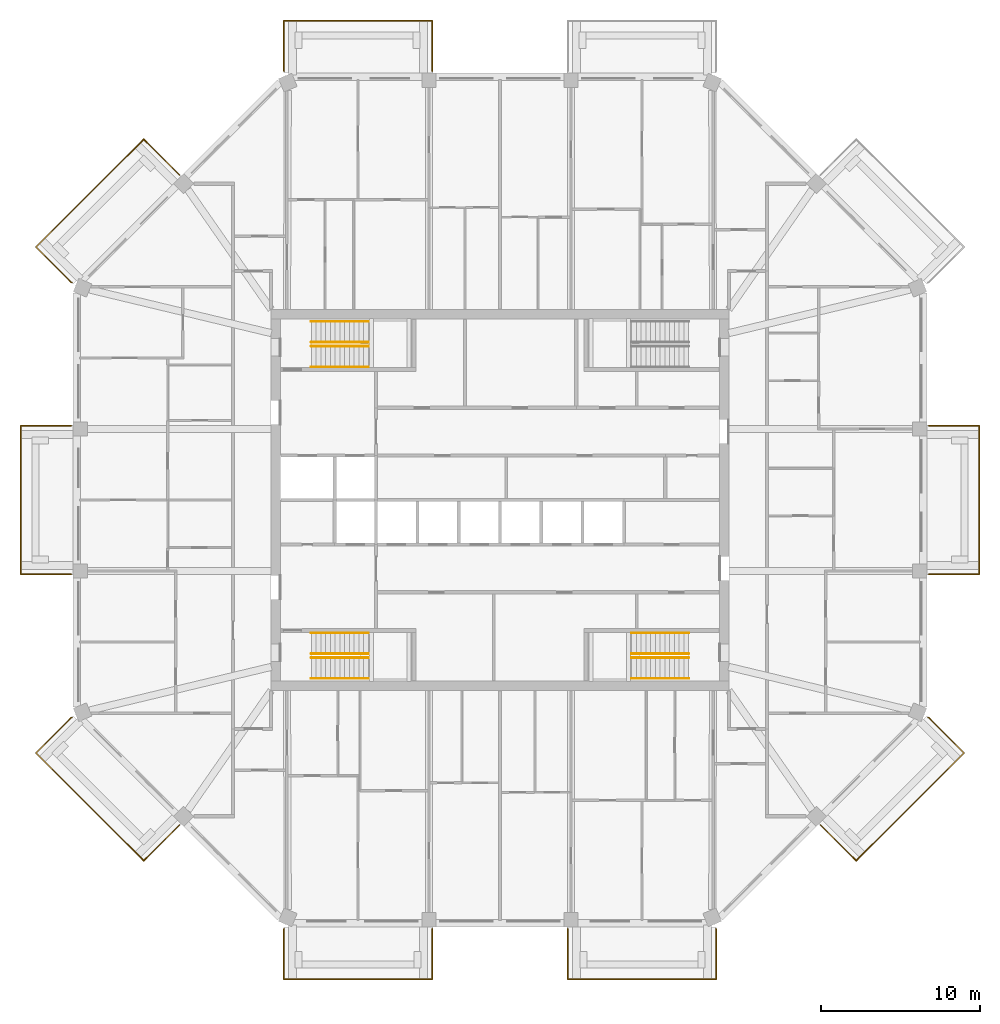
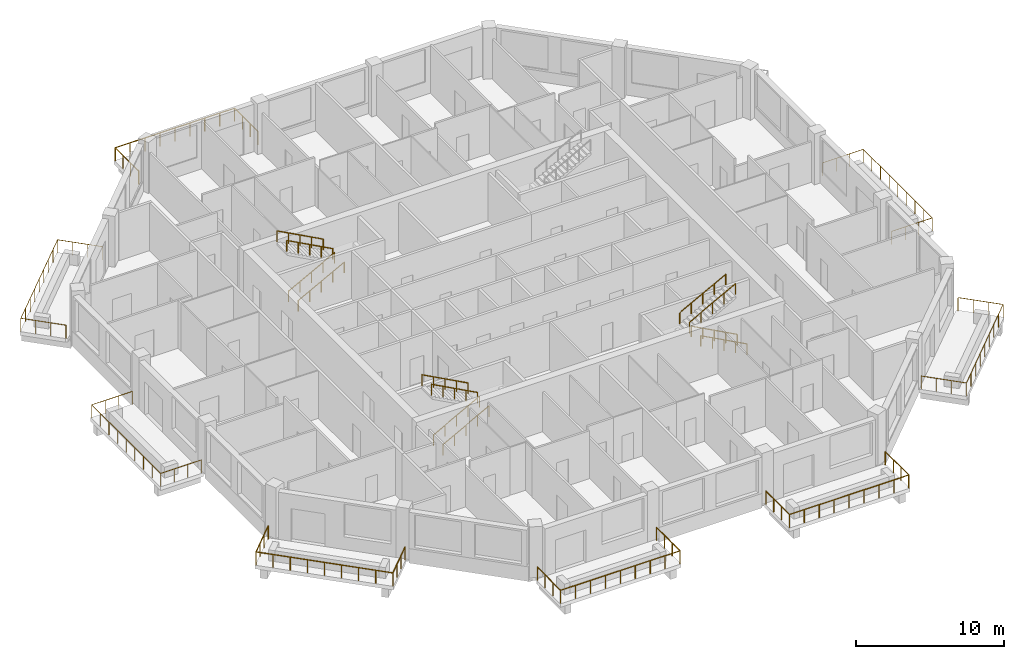
# One storey, part 12 of 13: 20 railings.
"""IFC4 building model written with IfcOpenShell, lengths in metres."""

from ifc_helpers import new_model, si_unit, direction, frame, origin, origin_2d, place, context, subcontext, project, spatial, circle, extrude, material, constituent, constituent_set, type_object, element, save


model = new_model("IFC4")

# Units and contexts
model_context = context("Model", 3, precision=1e-05, world=origin(), true_north=direction((0.0, 1.0)))
body_context = subcontext(model_context, "Body", "Model", "MODEL_VIEW")
ifc_project = project(units=[si_unit("LENGTHUNIT", "METRE"), si_unit("AREAUNIT", "SQUARE_METRE"), si_unit("VOLUMEUNIT", "CUBIC_METRE"), si_unit("PLANEANGLEUNIT", "RADIAN"), si_unit("MASSUNIT", "GRAM", prefix="KILO")], contexts=[model_context])

# Site, building, storey
site_placement = place(None, origin())
site = spatial("IfcSite", under=ifc_project, at=site_placement, CompositionType="ELEMENT")
building_placement = place(site_placement, origin())
building = spatial("IfcBuilding", under=site, at=building_placement, Name="Msitu Wima Residences", CompositionType="ELEMENT")
storey_placement = place(building_placement, frame((0.0, 0.0, 289.5)))
storey = spatial("IfcBuildingStorey", under=building, at=storey_placement, Name="L67", CompositionType="ELEMENT", Elevation=289.5)

# Railings
ifc_material_1 = material(Name="Steel S355", Category="steel")
ifc_constituent_1 = constituent(ifc_material_1, Name="Steel S355")
ifc_material_2 = material(Name="Weathering patina")
ifc_constituent_2 = constituent(ifc_material_2, Name="Weathering patina")
ifc_constituent_set_1 = constituent_set(constituents=[ifc_constituent_1, ifc_constituent_2], Name="Steel S355")
railing_type_1 = type_object("IfcRailingType", Name="Balcony guard GR1100", PredefinedType="GUARDRAIL", material=ifc_constituent_set_1)
railing_1_placement = place(storey_placement, frame((26.97998046875, 4.668701171875, 0.0)))
element("IfcRailing", 1, at=railing_1_placement, inside=storey, type_object=railing_type_1, Name="Balcony guard E1 L67", PredefinedType="GUARDRAIL", context=body_context, shape_type="SweptSolid", body=[
    extrude(circle(Radius=0.02392578125, at=origin_2d()), frame((0.0, 0.0, 1.076171875), z_axis=(1.0, 0.0, 0.0), x_axis=(0.0, 1.0, 0.0)), (0.0, 0.0, 1.0), 3.169921875),
    extrude(circle(Radius=0.02392578125, at=origin_2d()), frame((3.169921875, 0.0, 1.076171875), z_axis=(0.0, -1.0, 0.0), x_axis=(1.0, 0.0, 0.0)), (0.0, 0.0, 1.0), 9.33740234375),
    extrude(circle(Radius=0.02392578125, at=origin_2d()), frame((3.169921875, -9.33740234375, 1.076171875), z_axis=(-1.0, 0.0, 0.0), x_axis=(0.0, -1.0, 0.0)), (0.0, 0.0, 1.0), 3.169921875),
    extrude(circle(Radius=0.02099609375, at=origin_2d()), origin(), (0.0, 0.0, 1.0), 1.052001953125),
    extrude(circle(Radius=0.02099609375, at=origin_2d()), frame((1.056640625, 0.0, 0.0)), (0.0, 0.0, 1.0), 1.052001953125),
    extrude(circle(Radius=0.02099609375, at=origin_2d()), frame((2.11328125, 0.0, 0.0)), (0.0, 0.0, 1.0), 1.052001953125),
    extrude(circle(Radius=0.02099609375, at=origin_2d()), frame((3.169921875, 0.0, 0.0)), (0.0, 0.0, 1.0), 1.052001953125),
    extrude(circle(Radius=0.02099609375, at=origin_2d()), frame((3.169921875, -1.167236328125, 0.0)), (0.0, 0.0, 1.0), 1.052001953125),
    extrude(circle(Radius=0.02099609375, at=origin_2d()), frame((3.169921875, -2.33447265625, 0.0)), (0.0, 0.0, 1.0), 1.052001953125),
    extrude(circle(Radius=0.02099609375, at=origin_2d()), frame((3.169921875, -3.50146484375, 0.0)), (0.0, 0.0, 1.0), 1.052001953125),
    extrude(circle(Radius=0.02099609375, at=origin_2d()), frame((3.169921875, -4.668701171875, 0.0)), (0.0, 0.0, 1.0), 1.052001953125),
    extrude(circle(Radius=0.02099609375, at=origin_2d()), frame((3.169921875, -5.8359375, 0.0)), (0.0, 0.0, 1.0), 1.052001953125),
    extrude(circle(Radius=0.02099609375, at=origin_2d()), frame((3.169921875, -7.0029296875, 0.0)), (0.0, 0.0, 1.0), 1.052001953125),
    extrude(circle(Radius=0.02099609375, at=origin_2d()), frame((3.169921875, -8.170166015625, 0.0)), (0.0, 0.0, 1.0), 1.052001953125),
    extrude(circle(Radius=0.02099609375, at=origin_2d()), frame((3.169921875, -9.33740234375, 0.0)), (0.0, 0.0, 1.0), 1.052001953125),
    extrude(circle(Radius=0.02099609375, at=origin_2d()), frame((2.11328125, -9.33740234375, 0.0)), (0.0, 0.0, 1.0), 1.052001953125),
    extrude(circle(Radius=0.02099609375, at=origin_2d()), frame((1.056640625, -9.33740234375, 0.0)), (0.0, 0.0, 1.0), 1.052001953125),
    extrude(circle(Radius=0.02099609375, at=origin_2d()), frame((0.0, -9.33740234375, 0.0)), (0.0, 0.0, 1.0), 1.052001953125),
])
railing_2_placement = place(storey_placement, frame((-13.592041015625, 26.97998046875, 0.0)))
element("IfcRailing", 2, at=railing_2_placement, inside=storey, type_object=railing_type_1, Name="Balcony guard N2 L67", PredefinedType="GUARDRAIL", context=body_context, shape_type="SweptSolid", body=[
    extrude(circle(Radius=0.02392578125, at=origin_2d()), frame((0.0, 0.0, 1.076171875), z_axis=(-0.384136806859, 0.923276184907, 0.0), x_axis=(-0.923276184907, -0.384136806859, 0.0)), (0.0, 0.0, 1.0), 0.0361328125),
    extrude(circle(Radius=0.02392578125, at=origin_2d()), frame((-0.013916015625, 0.033447265625, 1.076171875), z_axis=(0.0, 1.0, 0.0), x_axis=(-1.0, 0.0, 0.0)), (0.0, 0.0, 1.0), 3.136474609375),
    extrude(circle(Radius=0.02392578125, at=origin_2d()), frame((-0.013916015625, 3.169921875, 1.076171875), z_axis=(1.0, 0.0, 0.0), x_axis=(0.0, 1.0, 0.0)), (0.0, 0.0, 1.0), 9.33740234375),
    extrude(circle(Radius=0.02392578125, at=origin_2d()), frame((9.323486328125, 3.169921875, 1.076171875), z_axis=(0.0, -1.0, 0.0), x_axis=(1.0, 0.0, 0.0)), (0.0, 0.0, 1.0), 3.169921875),
    extrude(circle(Radius=0.02099609375, at=origin_2d()), origin(), (0.0, 0.0, 1.0), 1.052001953125),
    extrude(circle(Radius=0.02099609375, at=origin_2d()), frame((-0.013916015625, 0.033447265625, 0.0)), (0.0, 0.0, 1.0), 1.052001953125),
    extrude(circle(Radius=0.02099609375, at=origin_2d()), frame((-0.013916015625, 1.078857421875, 0.0)), (0.0, 0.0, 1.0), 1.052001953125),
    extrude(circle(Radius=0.02099609375, at=origin_2d()), frame((-0.013916015625, 2.12451171875, 0.0)), (0.0, 0.0, 1.0), 1.052001953125),
    extrude(circle(Radius=0.02099609375, at=origin_2d()), frame((-0.013916015625, 3.169921875, 0.0)), (0.0, 0.0, 1.0), 1.052001953125),
    extrude(circle(Radius=0.02099609375, at=origin_2d()), frame((1.1533203125, 3.169921875, 0.0)), (0.0, 0.0, 1.0), 1.052001953125),
    extrude(circle(Radius=0.02099609375, at=origin_2d()), frame((2.3203125, 3.169921875, 0.0)), (0.0, 0.0, 1.0), 1.052001953125),
    extrude(circle(Radius=0.02099609375, at=origin_2d()), frame((3.487548828125, 3.169921875, 0.0)), (0.0, 0.0, 1.0), 1.052001953125),
    extrude(circle(Radius=0.02099609375, at=origin_2d()), frame((4.65478515625, 3.169921875, 0.0)), (0.0, 0.0, 1.0), 1.052001953125),
    extrude(circle(Radius=0.02099609375, at=origin_2d()), frame((5.822021484375, 3.169921875, 0.0)), (0.0, 0.0, 1.0), 1.052001953125),
    extrude(circle(Radius=0.02099609375, at=origin_2d()), frame((6.9892578125, 3.169921875, 0.0)), (0.0, 0.0, 1.0), 1.052001953125),
    extrude(circle(Radius=0.02099609375, at=origin_2d()), frame((8.15625, 3.169921875, 0.0)), (0.0, 0.0, 1.0), 1.052001953125),
    extrude(circle(Radius=0.02099609375, at=origin_2d()), frame((9.323486328125, 3.169921875, 0.0)), (0.0, 0.0, 1.0), 1.052001953125),
    extrude(circle(Radius=0.02099609375, at=origin_2d()), frame((9.323486328125, 2.11328125, 0.0)), (0.0, 0.0, 1.0), 1.052001953125),
    extrude(circle(Radius=0.02099609375, at=origin_2d()), frame((9.323486328125, 1.056640625, 0.0)), (0.0, 0.0, 1.0), 1.052001953125),
    extrude(circle(Radius=0.02099609375, at=origin_2d()), frame((9.323486328125, 0.0, 0.0)), (0.0, 0.0, 1.0), 1.052001953125),
])
railing_3_placement = place(storey_placement, frame((-26.941650390625, 13.684326171875, 0.0)))
element("IfcRailing", 3, at=railing_3_placement, inside=storey, type_object=railing_type_1, Name="Balcony guard NW1 L67", PredefinedType="GUARDRAIL", context=body_context, shape_type="SweptSolid", body=[
    extrude(circle(Radius=0.02392578125, at=origin_2d()), frame((0.0, 0.0, 1.076171875), z_axis=(-0.92426142649, 0.38176015442, 0.0), x_axis=(-0.38176015442, -0.92426142649, 0.0)), (0.0, 0.0, 1.0), 0.036376953125),
    extrude(circle(Radius=0.02392578125, at=origin_2d()), frame((-0.03369140625, 0.013916015625, 1.076171875), z_axis=(-0.707106781187, 0.707106781187, 0.0), x_axis=(-0.707106781187, -0.707106781187, 0.0)), (0.0, 0.0, 1.0), 3.136474609375),
    extrude(circle(Radius=0.02392578125, at=origin_2d()), frame((-2.25146484375, 2.231689453125, 1.076171875), z_axis=(0.707106781187, 0.707106781187, 0.0), x_axis=(-0.707106781187, 0.707106781187, 0.0)), (0.0, 0.0, 1.0), 9.58837890625),
    extrude(circle(Radius=0.02392578125, at=origin_2d()), frame((4.528564453125, 9.01171875, 1.076171875), z_axis=(0.707106781187, -0.707106781187, 0.0), x_axis=(0.707106781187, 0.707106781187, 0.0)), (0.0, 0.0, 1.0), 3.169921875),
    extrude(circle(Radius=0.02099609375, at=origin_2d()), origin(), (0.0, 0.0, 1.0), 1.052001953125),
    extrude(circle(Radius=0.02099609375, at=origin_2d()), frame((-0.03369140625, 0.013916015625, 0.0)), (0.0, 0.0, 1.0), 1.052001953125),
    extrude(circle(Radius=0.02099609375, at=origin_2d()), frame((-0.77294921875, 0.753173828125, 0.0)), (0.0, 0.0, 1.0), 1.052001953125),
    extrude(circle(Radius=0.02099609375, at=origin_2d()), frame((-1.51220703125, 1.492431640625, 0.0)), (0.0, 0.0, 1.0), 1.052001953125),
    extrude(circle(Radius=0.02099609375, at=origin_2d()), frame((-2.25146484375, 2.231689453125, 0.0)), (0.0, 0.0, 1.0), 1.052001953125),
    extrude(circle(Radius=0.02099609375, at=origin_2d()), frame((-1.404052734375, 3.0791015625, 0.0)), (0.0, 0.0, 1.0), 1.052001953125),
    extrude(circle(Radius=0.02099609375, at=origin_2d()), frame((-0.556396484375, 3.9267578125, 0.0)), (0.0, 0.0, 1.0), 1.052001953125),
    extrude(circle(Radius=0.02099609375, at=origin_2d()), frame((0.291015625, 4.774169921875, 0.0)), (0.0, 0.0, 1.0), 1.052001953125),
    extrude(circle(Radius=0.02099609375, at=origin_2d()), frame((1.138671875, 5.62158203125, 0.0)), (0.0, 0.0, 1.0), 1.052001953125),
    extrude(circle(Radius=0.02099609375, at=origin_2d()), frame((1.986083984375, 6.46923828125, 0.0)), (0.0, 0.0, 1.0), 1.052001953125),
    extrude(circle(Radius=0.02099609375, at=origin_2d()), frame((2.83349609375, 7.316650390625, 0.0)), (0.0, 0.0, 1.0), 1.052001953125),
    extrude(circle(Radius=0.02099609375, at=origin_2d()), frame((3.68115234375, 8.164306640625, 0.0)), (0.0, 0.0, 1.0), 1.052001953125),
    extrude(circle(Radius=0.02099609375, at=origin_2d()), frame((4.528564453125, 9.01171875, 0.0)), (0.0, 0.0, 1.0), 1.052001953125),
    extrude(circle(Radius=0.02099609375, at=origin_2d()), frame((5.275634765625, 8.2646484375, 0.0)), (0.0, 0.0, 1.0), 1.052001953125),
    extrude(circle(Radius=0.02099609375, at=origin_2d()), frame((6.02294921875, 7.517333984375, 0.0)), (0.0, 0.0, 1.0), 1.052001953125),
    extrude(circle(Radius=0.02099609375, at=origin_2d()), frame((6.77001953125, 6.770263671875, 0.0)), (0.0, 0.0, 1.0), 1.052001953125),
])
railing_4_placement = place(storey_placement, frame((-26.97998046875, -4.668701171875, 0.0)))
element("IfcRailing", 4, at=railing_4_placement, inside=storey, type_object=railing_type_1, Name="Balcony guard W1 L67", PredefinedType="GUARDRAIL", context=body_context, shape_type="SweptSolid", body=[
    extrude(circle(Radius=0.02392578125, at=origin_2d()), frame((0.0, 0.0, 1.076171875), z_axis=(-1.0, 0.0, 0.0), x_axis=(0.0, -1.0, 0.0)), (0.0, 0.0, 1.0), 3.169921875),
    extrude(circle(Radius=0.02392578125, at=origin_2d()), frame((-3.169921875, 0.0, 1.076171875), z_axis=(0.0, 1.0, 0.0), x_axis=(-1.0, 0.0, 0.0)), (0.0, 0.0, 1.0), 9.33740234375),
    extrude(circle(Radius=0.02392578125, at=origin_2d()), frame((-3.169921875, 9.33740234375, 1.076171875), z_axis=(1.0, 0.0, 0.0), x_axis=(0.0, 1.0, 0.0)), (0.0, 0.0, 1.0), 3.169921875),
    extrude(circle(Radius=0.02099609375, at=origin_2d()), origin(), (0.0, 0.0, 1.0), 1.052001953125),
    extrude(circle(Radius=0.02099609375, at=origin_2d()), frame((-1.056640625, 0.0, 0.0)), (0.0, 0.0, 1.0), 1.052001953125),
    extrude(circle(Radius=0.02099609375, at=origin_2d()), frame((-2.11328125, 0.0, 0.0)), (0.0, 0.0, 1.0), 1.052001953125),
    extrude(circle(Radius=0.02099609375, at=origin_2d()), frame((-3.169921875, 0.0, 0.0)), (0.0, 0.0, 1.0), 1.052001953125),
    extrude(circle(Radius=0.02099609375, at=origin_2d()), frame((-3.169921875, 1.167236328125, 0.0)), (0.0, 0.0, 1.0), 1.052001953125),
    extrude(circle(Radius=0.02099609375, at=origin_2d()), frame((-3.169921875, 2.33447265625, 0.0)), (0.0, 0.0, 1.0), 1.052001953125),
    extrude(circle(Radius=0.02099609375, at=origin_2d()), frame((-3.169921875, 3.50146484375, 0.0)), (0.0, 0.0, 1.0), 1.052001953125),
    extrude(circle(Radius=0.02099609375, at=origin_2d()), frame((-3.169921875, 4.668701171875, 0.0)), (0.0, 0.0, 1.0), 1.052001953125),
    extrude(circle(Radius=0.02099609375, at=origin_2d()), frame((-3.169921875, 5.8359375, 0.0)), (0.0, 0.0, 1.0), 1.052001953125),
    extrude(circle(Radius=0.02099609375, at=origin_2d()), frame((-3.169921875, 7.0029296875, 0.0)), (0.0, 0.0, 1.0), 1.052001953125),
    extrude(circle(Radius=0.02099609375, at=origin_2d()), frame((-3.169921875, 8.170166015625, 0.0)), (0.0, 0.0, 1.0), 1.052001953125),
    extrude(circle(Radius=0.02099609375, at=origin_2d()), frame((-3.169921875, 9.33740234375, 0.0)), (0.0, 0.0, 1.0), 1.052001953125),
    extrude(circle(Radius=0.02099609375, at=origin_2d()), frame((-2.11328125, 9.33740234375, 0.0)), (0.0, 0.0, 1.0), 1.052001953125),
    extrude(circle(Radius=0.02099609375, at=origin_2d()), frame((-1.056640625, 9.33740234375, 0.0)), (0.0, 0.0, 1.0), 1.052001953125),
    extrude(circle(Radius=0.02099609375, at=origin_2d()), frame((0.0, 9.33740234375, 0.0)), (0.0, 0.0, 1.0), 1.052001953125),
])
railing_5_placement = place(storey_placement, frame((-20.171630859375, -20.45458984375, 0.0)))
element("IfcRailing", 5, at=railing_5_placement, inside=storey, type_object=railing_type_1, Name="Balcony guard SW0 L67", PredefinedType="GUARDRAIL", context=body_context, shape_type="SweptSolid", body=[
    extrude(circle(Radius=0.02392578125, at=origin_2d()), frame((0.0, 0.0, 1.076171875), z_axis=(-0.707106781187, -0.707106781187, 0.0), x_axis=(0.707106781187, -0.707106781187, 0.0)), (0.0, 0.0, 1.0), 3.169921875),
    extrude(circle(Radius=0.02392578125, at=origin_2d()), frame((-2.241455078125, -2.241455078125, 1.076171875), z_axis=(-0.707106781187, 0.707106781187, 0.0), x_axis=(-0.707106781187, -0.707106781187, 0.0)), (0.0, 0.0, 1.0), 9.58837890625),
    extrude(circle(Radius=0.02392578125, at=origin_2d()), frame((-9.021484375, 4.53857421875, 1.076171875), z_axis=(0.707106781187, 0.707106781187, 0.0), x_axis=(-0.707106781187, 0.707106781187, 0.0)), (0.0, 0.0, 1.0), 3.136474609375),
    extrude(circle(Radius=0.02392578125, at=origin_2d()), frame((-6.8037109375, 6.75634765625, 1.076171875), z_axis=(0.92426142649, 0.38176015442, 0.0), x_axis=(-0.38176015442, 0.92426142649, 0.0)), (0.0, 0.0, 1.0), 0.036376953125),
    extrude(circle(Radius=0.02099609375, at=origin_2d()), origin(), (0.0, 0.0, 1.0), 1.052001953125),
    extrude(circle(Radius=0.02099609375, at=origin_2d()), frame((-0.7470703125, -0.7470703125, 0.0)), (0.0, 0.0, 1.0), 1.052001953125),
    extrude(circle(Radius=0.02099609375, at=origin_2d()), frame((-1.494384765625, -1.494384765625, 0.0)), (0.0, 0.0, 1.0), 1.052001953125),
    extrude(circle(Radius=0.02099609375, at=origin_2d()), frame((-2.241455078125, -2.241455078125, 0.0)), (0.0, 0.0, 1.0), 1.052001953125),
    extrude(circle(Radius=0.02099609375, at=origin_2d()), frame((-3.0888671875, -1.39404296875, 0.0)), (0.0, 0.0, 1.0), 1.052001953125),
    extrude(circle(Radius=0.02099609375, at=origin_2d()), frame((-3.9365234375, -0.54638671875, 0.0)), (0.0, 0.0, 1.0), 1.052001953125),
    extrude(circle(Radius=0.02099609375, at=origin_2d()), frame((-4.783935546875, 0.301025390625, 0.0)), (0.0, 0.0, 1.0), 1.052001953125),
    extrude(circle(Radius=0.02099609375, at=origin_2d()), frame((-5.63134765625, 1.1484375, 0.0)), (0.0, 0.0, 1.0), 1.052001953125),
    extrude(circle(Radius=0.02099609375, at=origin_2d()), frame((-6.47900390625, 1.99609375, 0.0)), (0.0, 0.0, 1.0), 1.052001953125),
    extrude(circle(Radius=0.02099609375, at=origin_2d()), frame((-7.326416015625, 2.843505859375, 0.0)), (0.0, 0.0, 1.0), 1.052001953125),
    extrude(circle(Radius=0.02099609375, at=origin_2d()), frame((-8.174072265625, 3.691162109375, 0.0)), (0.0, 0.0, 1.0), 1.052001953125),
    extrude(circle(Radius=0.02099609375, at=origin_2d()), frame((-9.021484375, 4.53857421875, 0.0)), (0.0, 0.0, 1.0), 1.052001953125),
    extrude(circle(Radius=0.02099609375, at=origin_2d()), frame((-8.2822265625, 5.27783203125, 0.0)), (0.0, 0.0, 1.0), 1.052001953125),
    extrude(circle(Radius=0.02099609375, at=origin_2d()), frame((-7.54296875, 6.01708984375, 0.0)), (0.0, 0.0, 1.0), 1.052001953125),
    extrude(circle(Radius=0.02099609375, at=origin_2d()), frame((-6.8037109375, 6.75634765625, 0.0)), (0.0, 0.0, 1.0), 1.052001953125),
    extrude(circle(Radius=0.02099609375, at=origin_2d()), frame((-6.77001953125, 6.770263671875, 0.0)), (0.0, 0.0, 1.0), 1.052001953125),
])
railing_6_placement = place(storey_placement, frame((-4.2685546875, -26.97998046875, 0.0)))
element("IfcRailing", 6, at=railing_6_placement, inside=storey, type_object=railing_type_1, Name="Balcony guard S0 L67", PredefinedType="GUARDRAIL", context=body_context, shape_type="SweptSolid", body=[
    extrude(circle(Radius=0.02392578125, at=origin_2d()), frame((0.0, 0.0, 1.076171875), z_axis=(0.0, -1.0, 0.0), x_axis=(1.0, 0.0, 0.0)), (0.0, 0.0, 1.0), 3.169921875),
    extrude(circle(Radius=0.02392578125, at=origin_2d()), frame((0.0, -3.169921875, 1.076171875), z_axis=(-1.0, 0.0, 0.0), x_axis=(0.0, -1.0, 0.0)), (0.0, 0.0, 1.0), 9.33740234375),
    extrude(circle(Radius=0.02392578125, at=origin_2d()), frame((-9.33740234375, -3.169921875, 1.076171875), z_axis=(0.0, 1.0, 0.0), x_axis=(-1.0, 0.0, 0.0)), (0.0, 0.0, 1.0), 3.136474609375),
    extrude(circle(Radius=0.02392578125, at=origin_2d()), frame((-9.33740234375, -0.033447265625, 1.076171875), z_axis=(0.384136806859, 0.923276184907, 0.0), x_axis=(-0.923276184907, 0.384136806859, 0.0)), (0.0, 0.0, 1.0), 0.0361328125),
    extrude(circle(Radius=0.02099609375, at=origin_2d()), origin(), (0.0, 0.0, 1.0), 1.052001953125),
    extrude(circle(Radius=0.02099609375, at=origin_2d()), frame((0.0, -1.056640625, 0.0)), (0.0, 0.0, 1.0), 1.052001953125),
    extrude(circle(Radius=0.02099609375, at=origin_2d()), frame((0.0, -2.11328125, 0.0)), (0.0, 0.0, 1.0), 1.052001953125),
    extrude(circle(Radius=0.02099609375, at=origin_2d()), frame((0.0, -3.169921875, 0.0)), (0.0, 0.0, 1.0), 1.052001953125),
    extrude(circle(Radius=0.02099609375, at=origin_2d()), frame((-1.167236328125, -3.169921875, 0.0)), (0.0, 0.0, 1.0), 1.052001953125),
    extrude(circle(Radius=0.02099609375, at=origin_2d()), frame((-2.33447265625, -3.169921875, 0.0)), (0.0, 0.0, 1.0), 1.052001953125),
    extrude(circle(Radius=0.02099609375, at=origin_2d()), frame((-3.50146484375, -3.169921875, 0.0)), (0.0, 0.0, 1.0), 1.052001953125),
    extrude(circle(Radius=0.02099609375, at=origin_2d()), frame((-4.668701171875, -3.169921875, 0.0)), (0.0, 0.0, 1.0), 1.052001953125),
    extrude(circle(Radius=0.02099609375, at=origin_2d()), frame((-5.8359375, -3.169921875, 0.0)), (0.0, 0.0, 1.0), 1.052001953125),
    extrude(circle(Radius=0.02099609375, at=origin_2d()), frame((-7.0029296875, -3.169921875, 0.0)), (0.0, 0.0, 1.0), 1.052001953125),
    extrude(circle(Radius=0.02099609375, at=origin_2d()), frame((-8.170166015625, -3.169921875, 0.0)), (0.0, 0.0, 1.0), 1.052001953125),
    extrude(circle(Radius=0.02099609375, at=origin_2d()), frame((-9.33740234375, -3.169921875, 0.0)), (0.0, 0.0, 1.0), 1.052001953125),
    extrude(circle(Radius=0.02099609375, at=origin_2d()), frame((-9.33740234375, -2.12451171875, 0.0)), (0.0, 0.0, 1.0), 1.052001953125),
    extrude(circle(Radius=0.02099609375, at=origin_2d()), frame((-9.33740234375, -1.078857421875, 0.0)), (0.0, 0.0, 1.0), 1.052001953125),
    extrude(circle(Radius=0.02099609375, at=origin_2d()), frame((-9.33740234375, -0.033447265625, 0.0)), (0.0, 0.0, 1.0), 1.052001953125),
    extrude(circle(Radius=0.02099609375, at=origin_2d()), frame((-9.323486328125, 0.0, 0.0)), (0.0, 0.0, 1.0), 1.052001953125),
])
railing_7_placement = place(storey_placement, frame((13.592041015625, -26.97998046875, 0.0)))
element("IfcRailing", 7, at=railing_7_placement, inside=storey, type_object=railing_type_1, Name="Balcony guard S2 L67", PredefinedType="GUARDRAIL", context=body_context, shape_type="SweptSolid", body=[
    extrude(circle(Radius=0.02392578125, at=origin_2d()), frame((0.0, 0.0, 1.076171875), z_axis=(0.384136806859, -0.923276184907, 0.0), x_axis=(0.923276184907, 0.384136806859, 0.0)), (0.0, 0.0, 1.0), 0.0361328125),
    extrude(circle(Radius=0.02392578125, at=origin_2d()), frame((0.013916015625, -0.033447265625, 1.076171875), z_axis=(0.0, -1.0, 0.0), x_axis=(1.0, 0.0, 0.0)), (0.0, 0.0, 1.0), 3.136474609375),
    extrude(circle(Radius=0.02392578125, at=origin_2d()), frame((0.013916015625, -3.169921875, 1.076171875), z_axis=(-1.0, 0.0, 0.0), x_axis=(0.0, -1.0, 0.0)), (0.0, 0.0, 1.0), 9.33740234375),
    extrude(circle(Radius=0.02392578125, at=origin_2d()), frame((-9.323486328125, -3.169921875, 1.076171875), z_axis=(0.0, 1.0, 0.0), x_axis=(-1.0, 0.0, 0.0)), (0.0, 0.0, 1.0), 3.169921875),
    extrude(circle(Radius=0.02099609375, at=origin_2d()), origin(), (0.0, 0.0, 1.0), 1.052001953125),
    extrude(circle(Radius=0.02099609375, at=origin_2d()), frame((0.013916015625, -0.033447265625, 0.0)), (0.0, 0.0, 1.0), 1.052001953125),
    extrude(circle(Radius=0.02099609375, at=origin_2d()), frame((0.013916015625, -1.078857421875, 0.0)), (0.0, 0.0, 1.0), 1.052001953125),
    extrude(circle(Radius=0.02099609375, at=origin_2d()), frame((0.013916015625, -2.12451171875, 0.0)), (0.0, 0.0, 1.0), 1.052001953125),
    extrude(circle(Radius=0.02099609375, at=origin_2d()), frame((0.013916015625, -3.169921875, 0.0)), (0.0, 0.0, 1.0), 1.052001953125),
    extrude(circle(Radius=0.02099609375, at=origin_2d()), frame((-1.1533203125, -3.169921875, 0.0)), (0.0, 0.0, 1.0), 1.052001953125),
    extrude(circle(Radius=0.02099609375, at=origin_2d()), frame((-2.3203125, -3.169921875, 0.0)), (0.0, 0.0, 1.0), 1.052001953125),
    extrude(circle(Radius=0.02099609375, at=origin_2d()), frame((-3.487548828125, -3.169921875, 0.0)), (0.0, 0.0, 1.0), 1.052001953125),
    extrude(circle(Radius=0.02099609375, at=origin_2d()), frame((-4.65478515625, -3.169921875, 0.0)), (0.0, 0.0, 1.0), 1.052001953125),
    extrude(circle(Radius=0.02099609375, at=origin_2d()), frame((-5.822021484375, -3.169921875, 0.0)), (0.0, 0.0, 1.0), 1.052001953125),
    extrude(circle(Radius=0.02099609375, at=origin_2d()), frame((-6.9892578125, -3.169921875, 0.0)), (0.0, 0.0, 1.0), 1.052001953125),
    extrude(circle(Radius=0.02099609375, at=origin_2d()), frame((-8.15625, -3.169921875, 0.0)), (0.0, 0.0, 1.0), 1.052001953125),
    extrude(circle(Radius=0.02099609375, at=origin_2d()), frame((-9.323486328125, -3.169921875, 0.0)), (0.0, 0.0, 1.0), 1.052001953125),
    extrude(circle(Radius=0.02099609375, at=origin_2d()), frame((-9.323486328125, -2.11328125, 0.0)), (0.0, 0.0, 1.0), 1.052001953125),
    extrude(circle(Radius=0.02099609375, at=origin_2d()), frame((-9.323486328125, -1.056640625, 0.0)), (0.0, 0.0, 1.0), 1.052001953125),
    extrude(circle(Radius=0.02099609375, at=origin_2d()), frame((-9.323486328125, 0.0, 0.0)), (0.0, 0.0, 1.0), 1.052001953125),
])
railing_8_placement = place(storey_placement, frame((26.941650390625, -13.684326171875, 0.0)))
element("IfcRailing", 8, at=railing_8_placement, inside=storey, type_object=railing_type_1, Name="Balcony guard SE1 L67", PredefinedType="GUARDRAIL", context=body_context, shape_type="SweptSolid", body=[
    extrude(circle(Radius=0.02392578125, at=origin_2d()), frame((0.0, 0.0, 1.076171875), z_axis=(0.92426142649, -0.38176015442, 0.0), x_axis=(0.38176015442, 0.92426142649, 0.0)), (0.0, 0.0, 1.0), 0.036376953125),
    extrude(circle(Radius=0.02392578125, at=origin_2d()), frame((0.03369140625, -0.013916015625, 1.076171875), z_axis=(0.707106781187, -0.707106781187, 0.0), x_axis=(0.707106781187, 0.707106781187, 0.0)), (0.0, 0.0, 1.0), 3.136474609375),
    extrude(circle(Radius=0.02392578125, at=origin_2d()), frame((2.25146484375, -2.231689453125, 1.076171875), z_axis=(-0.707106781187, -0.707106781187, 0.0), x_axis=(0.707106781187, -0.707106781187, 0.0)), (0.0, 0.0, 1.0), 9.58837890625),
    extrude(circle(Radius=0.02392578125, at=origin_2d()), frame((-4.528564453125, -9.01171875, 1.076171875), z_axis=(-0.707106781187, 0.707106781187, 0.0), x_axis=(-0.707106781187, -0.707106781187, 0.0)), (0.0, 0.0, 1.0), 3.169921875),
    extrude(circle(Radius=0.02099609375, at=origin_2d()), origin(), (0.0, 0.0, 1.0), 1.052001953125),
    extrude(circle(Radius=0.02099609375, at=origin_2d()), frame((0.03369140625, -0.013916015625, 0.0)), (0.0, 0.0, 1.0), 1.052001953125),
    extrude(circle(Radius=0.02099609375, at=origin_2d()), frame((0.77294921875, -0.753173828125, 0.0)), (0.0, 0.0, 1.0), 1.052001953125),
    extrude(circle(Radius=0.02099609375, at=origin_2d()), frame((1.51220703125, -1.492431640625, 0.0)), (0.0, 0.0, 1.0), 1.052001953125),
    extrude(circle(Radius=0.02099609375, at=origin_2d()), frame((2.25146484375, -2.231689453125, 0.0)), (0.0, 0.0, 1.0), 1.052001953125),
    extrude(circle(Radius=0.02099609375, at=origin_2d()), frame((1.404052734375, -3.0791015625, 0.0)), (0.0, 0.0, 1.0), 1.052001953125),
    extrude(circle(Radius=0.02099609375, at=origin_2d()), frame((0.556396484375, -3.9267578125, 0.0)), (0.0, 0.0, 1.0), 1.052001953125),
    extrude(circle(Radius=0.02099609375, at=origin_2d()), frame((-0.291015625, -4.774169921875, 0.0)), (0.0, 0.0, 1.0), 1.052001953125),
    extrude(circle(Radius=0.02099609375, at=origin_2d()), frame((-1.138671875, -5.62158203125, 0.0)), (0.0, 0.0, 1.0), 1.052001953125),
    extrude(circle(Radius=0.02099609375, at=origin_2d()), frame((-1.986083984375, -6.46923828125, 0.0)), (0.0, 0.0, 1.0), 1.052001953125),
    extrude(circle(Radius=0.02099609375, at=origin_2d()), frame((-2.83349609375, -7.316650390625, 0.0)), (0.0, 0.0, 1.0), 1.052001953125),
    extrude(circle(Radius=0.02099609375, at=origin_2d()), frame((-3.68115234375, -8.164306640625, 0.0)), (0.0, 0.0, 1.0), 1.052001953125),
    extrude(circle(Radius=0.02099609375, at=origin_2d()), frame((-4.528564453125, -9.01171875, 0.0)), (0.0, 0.0, 1.0), 1.052001953125),
    extrude(circle(Radius=0.02099609375, at=origin_2d()), frame((-5.275634765625, -8.2646484375, 0.0)), (0.0, 0.0, 1.0), 1.052001953125),
    extrude(circle(Radius=0.02099609375, at=origin_2d()), frame((-6.02294921875, -7.517333984375, 0.0)), (0.0, 0.0, 1.0), 1.052001953125),
    extrude(circle(Radius=0.02099609375, at=origin_2d()), frame((-6.77001953125, -6.770263671875, 0.0)), (0.0, 0.0, 1.0), 1.052001953125),
])
ifc_constituent_3 = constituent(ifc_material_1, Name="Steel S355")
ifc_material_3 = material(Name="Black powder coating")
ifc_constituent_4 = constituent(ifc_material_3, Name="Black powder coating")
ifc_constituent_set_2 = constituent_set(constituents=[ifc_constituent_3, ifc_constituent_4], Name="Steel S355")
railing_type_2 = type_object("IfcRailingType", Name="Stair handrail HR1", PredefinedType="HANDRAIL", material=ifc_constituent_set_2)
for number, where, name in (
    (9, (-11.875, 8.375, 0.16162109375), "Stair 1 handrail"),
    (10, (-11.875, 9.675048828125, 0.16162109375), "Stair 1 handrail"),
):
    element("IfcRailing", number, at=place(storey_placement, frame(where)), inside=storey, type_object=railing_type_2, Name=name, PredefinedType="HANDRAIL", context=body_context, shape_type="SweptSolid", body=[
        extrude(circle(Radius=0.02392578125, at=origin_2d()), frame((0.0, 0.0, 0.8759765625), z_axis=(0.880474934443, 0.0, 0.474092701714), x_axis=(0.0, 1.0, 0.0)), (0.0, 0.0, 1.0), 4.0888671875),
        extrude(circle(Radius=0.02099609375, at=origin_2d()), origin(), (0.0, 0.0, 1.0), 0.851806640625),
        extrude(circle(Radius=0.02099609375, at=origin_2d()), frame((0.89990234375, 0.0, 0.484619140625)), (0.0, 0.0, 1.0), 0.851806640625),
        extrude(circle(Radius=0.02099609375, at=origin_2d()), frame((1.800048828125, 0.0, 0.96923828125)), (0.0, 0.0, 1.0), 0.851806640625),
        extrude(circle(Radius=0.02099609375, at=origin_2d()), frame((2.7001953125, 0.0, 1.453857421875)), (0.0, 0.0, 1.0), 0.851806640625),
        extrude(circle(Radius=0.02099609375, at=origin_2d()), frame((3.60009765625, 0.0, 1.9384765625)), (0.0, 0.0, 1.0), 0.851806640625),
    ])
for number, where, name in (
    (11, (-8.27490234375, 9.925048828125, 2.261474609375), "Stair 1 handrail"),
    (12, (-8.27490234375, 11.22509765625, 2.261474609375), "Stair 1 handrail"),
):
    element("IfcRailing", number, at=place(storey_placement, frame(where)), inside=storey, type_object=railing_type_2, Name=name, PredefinedType="HANDRAIL", context=body_context, shape_type="SweptSolid", body=[
        extrude(circle(Radius=0.02392578125, at=origin_2d()), frame((0.0, 0.0, 0.8759765625), z_axis=(-0.880474934443, 0.0, 0.474092701714), x_axis=(0.0, -1.0, 0.0)), (0.0, 0.0, 1.0), 4.0888671875),
        extrude(circle(Radius=0.02099609375, at=origin_2d()), origin(), (0.0, 0.0, 1.0), 0.851806640625),
        extrude(circle(Radius=0.02099609375, at=origin_2d()), frame((-0.89990234375, 0.0, 0.484619140625)), (0.0, 0.0, 1.0), 0.851806640625),
        extrude(circle(Radius=0.02099609375, at=origin_2d()), frame((-1.800048828125, 0.0, 0.96923828125)), (0.0, 0.0, 1.0), 0.851806640625),
        extrude(circle(Radius=0.02099609375, at=origin_2d()), frame((-2.7001953125, 0.0, 1.453857421875)), (0.0, 0.0, 1.0), 0.851806640625),
        extrude(circle(Radius=0.02099609375, at=origin_2d()), frame((-3.60009765625, 0.0, 1.9384765625)), (0.0, 0.0, 1.0), 0.851806640625),
    ])
for number, where, name in (
    (13, (-11.875, -11.22509765625, 0.16162109375), "Stair 2 handrail"),
    (14, (-11.875, -9.925048828125, 0.16162109375), "Stair 2 handrail"),
):
    element("IfcRailing", number, at=place(storey_placement, frame(where)), inside=storey, type_object=railing_type_2, Name=name, PredefinedType="HANDRAIL", context=body_context, shape_type="SweptSolid", body=[
        extrude(circle(Radius=0.02392578125, at=origin_2d()), frame((0.0, 0.0, 0.8759765625), z_axis=(0.880474934443, 0.0, 0.474092701714), x_axis=(0.0, 1.0, 0.0)), (0.0, 0.0, 1.0), 4.0888671875),
        extrude(circle(Radius=0.02099609375, at=origin_2d()), origin(), (0.0, 0.0, 1.0), 0.851806640625),
        extrude(circle(Radius=0.02099609375, at=origin_2d()), frame((0.89990234375, 0.0, 0.484619140625)), (0.0, 0.0, 1.0), 0.851806640625),
        extrude(circle(Radius=0.02099609375, at=origin_2d()), frame((1.800048828125, 0.0, 0.96923828125)), (0.0, 0.0, 1.0), 0.851806640625),
        extrude(circle(Radius=0.02099609375, at=origin_2d()), frame((2.7001953125, 0.0, 1.453857421875)), (0.0, 0.0, 1.0), 0.851806640625),
        extrude(circle(Radius=0.02099609375, at=origin_2d()), frame((3.60009765625, 0.0, 1.9384765625)), (0.0, 0.0, 1.0), 0.851806640625),
    ])
for number, where, name in (
    (15, (-8.27490234375, -9.675048828125, 2.261474609375), "Stair 2 handrail"),
    (16, (-8.27490234375, -8.375, 2.261474609375), "Stair 2 handrail"),
    (17, (11.875, -11.22509765625, 0.16162109375), "Stair 4 handrail"),
    (18, (11.875, -9.925048828125, 0.16162109375), "Stair 4 handrail"),
):
    element("IfcRailing", number, at=place(storey_placement, frame(where)), inside=storey, type_object=railing_type_2, Name=name, PredefinedType="HANDRAIL", context=body_context, shape_type="SweptSolid", body=[
        extrude(circle(Radius=0.02392578125, at=origin_2d()), frame((0.0, 0.0, 0.8759765625), z_axis=(-0.880474934443, 0.0, 0.474092701714), x_axis=(0.0, -1.0, 0.0)), (0.0, 0.0, 1.0), 4.0888671875),
        extrude(circle(Radius=0.02099609375, at=origin_2d()), origin(), (0.0, 0.0, 1.0), 0.851806640625),
        extrude(circle(Radius=0.02099609375, at=origin_2d()), frame((-0.89990234375, 0.0, 0.484619140625)), (0.0, 0.0, 1.0), 0.851806640625),
        extrude(circle(Radius=0.02099609375, at=origin_2d()), frame((-1.800048828125, 0.0, 0.96923828125)), (0.0, 0.0, 1.0), 0.851806640625),
        extrude(circle(Radius=0.02099609375, at=origin_2d()), frame((-2.7001953125, 0.0, 1.453857421875)), (0.0, 0.0, 1.0), 0.851806640625),
        extrude(circle(Radius=0.02099609375, at=origin_2d()), frame((-3.60009765625, 0.0, 1.9384765625)), (0.0, 0.0, 1.0), 0.851806640625),
    ])
for number, where, name in (
    (19, (8.27490234375, -9.675048828125, 2.261474609375), "Stair 4 handrail"),
    (20, (8.27490234375, -8.375, 2.261474609375), "Stair 4 handrail"),
):
    element("IfcRailing", number, at=place(storey_placement, frame(where)), inside=storey, type_object=railing_type_2, Name=name, PredefinedType="HANDRAIL", context=body_context, shape_type="SweptSolid", body=[
        extrude(circle(Radius=0.02392578125, at=origin_2d()), frame((0.0, 0.0, 0.8759765625), z_axis=(0.880474934443, 0.0, 0.474092701714), x_axis=(0.0, 1.0, 0.0)), (0.0, 0.0, 1.0), 4.0888671875),
        extrude(circle(Radius=0.02099609375, at=origin_2d()), origin(), (0.0, 0.0, 1.0), 0.851806640625),
        extrude(circle(Radius=0.02099609375, at=origin_2d()), frame((0.89990234375, 0.0, 0.484619140625)), (0.0, 0.0, 1.0), 0.851806640625),
        extrude(circle(Radius=0.02099609375, at=origin_2d()), frame((1.800048828125, 0.0, 0.96923828125)), (0.0, 0.0, 1.0), 0.851806640625),
        extrude(circle(Radius=0.02099609375, at=origin_2d()), frame((2.7001953125, 0.0, 1.453857421875)), (0.0, 0.0, 1.0), 0.851806640625),
        extrude(circle(Radius=0.02099609375, at=origin_2d()), frame((3.60009765625, 0.0, 1.9384765625)), (0.0, 0.0, 1.0), 0.851806640625),
    ])

save(model, "model.ifc")
